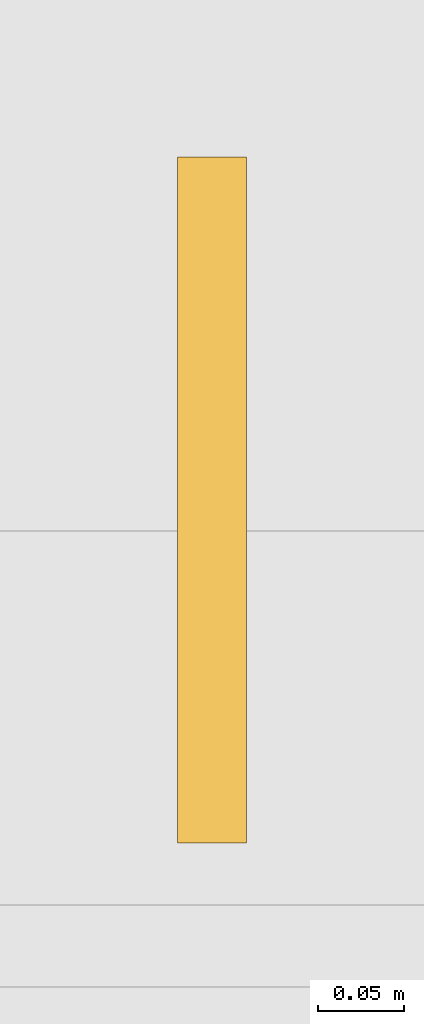
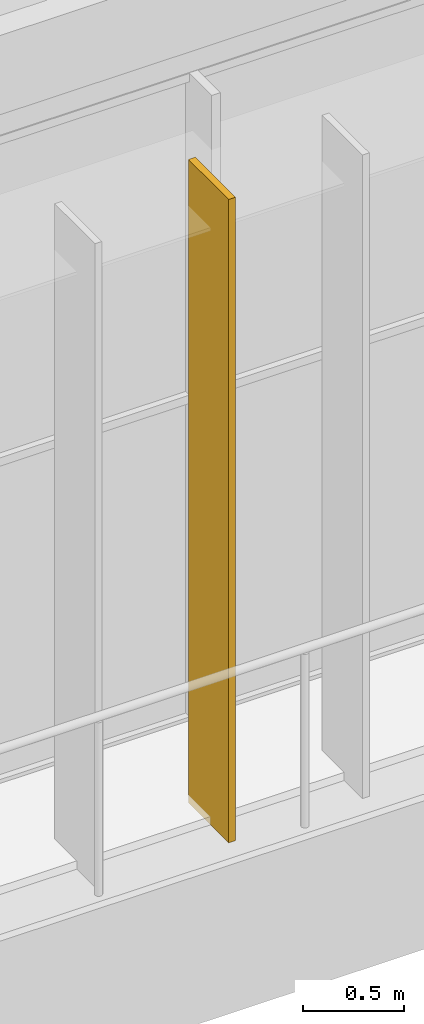
# One storey, part 63 of 73: 1 shading device.
"""IFC4 building model written with IfcOpenShell, lengths in metres."""

from ifc_helpers import new_model, si_unit, direction, frame, origin, origin_2d, place, context, subcontext, project, spatial, rectangle, extrude, material, layer, layer_set, type_object, element, save


model = new_model("IFC4")

# Units and contexts
model_context = context("Model", 3, precision=1e-05, world=origin(), true_north=direction((0.0, 1.0)))
body_context = subcontext(model_context, "Body", "Model", "MODEL_VIEW")
ifc_project = project(units=[si_unit("LENGTHUNIT", "METRE"), si_unit("AREAUNIT", "SQUARE_METRE"), si_unit("VOLUMEUNIT", "CUBIC_METRE"), si_unit("PLANEANGLEUNIT", "RADIAN"), si_unit("MASSUNIT", "GRAM", prefix="KILO")], contexts=[model_context])

# Site, building, storey
site_placement = place(None, origin())
site = spatial("IfcSite", under=ifc_project, at=site_placement, CompositionType="ELEMENT")
building_placement = place(site_placement, origin())
building = spatial("IfcBuilding", under=site, at=building_placement, Name="Lantern Court Media Centre", CompositionType="ELEMENT")
storey_placement = place(building_placement, frame((0.0, 0.0, 24.0)))
storey = spatial("IfcBuildingStorey", under=building, at=storey_placement, Name="L05", CompositionType="ELEMENT", Elevation=24.0)

# Shading device
ifc_material = material(Name="Bronze anodised aluminium louvre", Category="aluminium")
ifc_layer = layer(ifc_material, 0.0400390625)
ifc_layer_set = layer_set([ifc_layer], Name="Bronze anodised aluminium louvre")
shading_device_type = type_object("IfcShadingDeviceType", Name="Vertical louvre 40x400 under beam", PredefinedType="USERDEFINED", material=ifc_layer_set)
shading_device_placement = place(storey_placement, frame((50.466552734375, 101.320068359375, 0.0), z_axis=(0.0, 0.0, 1.0), x_axis=(1.0, 0.0, 0.0)))
element("IfcShadingDevice", 1, at=shading_device_placement, inside=storey, type_object=shading_device_type, Name="Vertical louvre N inner L05", ObjectType="VERTICAL LOUVRE", PredefinedType="USERDEFINED", context=body_context, shape_type="SweptSolid", body=[
    extrude(rectangle(XDim=0.0400390625, YDim=0.39990234375, at=origin_2d()), origin(), (0.0, 0.0, 1.0), 3.89990234375),
])

save(model, "model.ifc")
